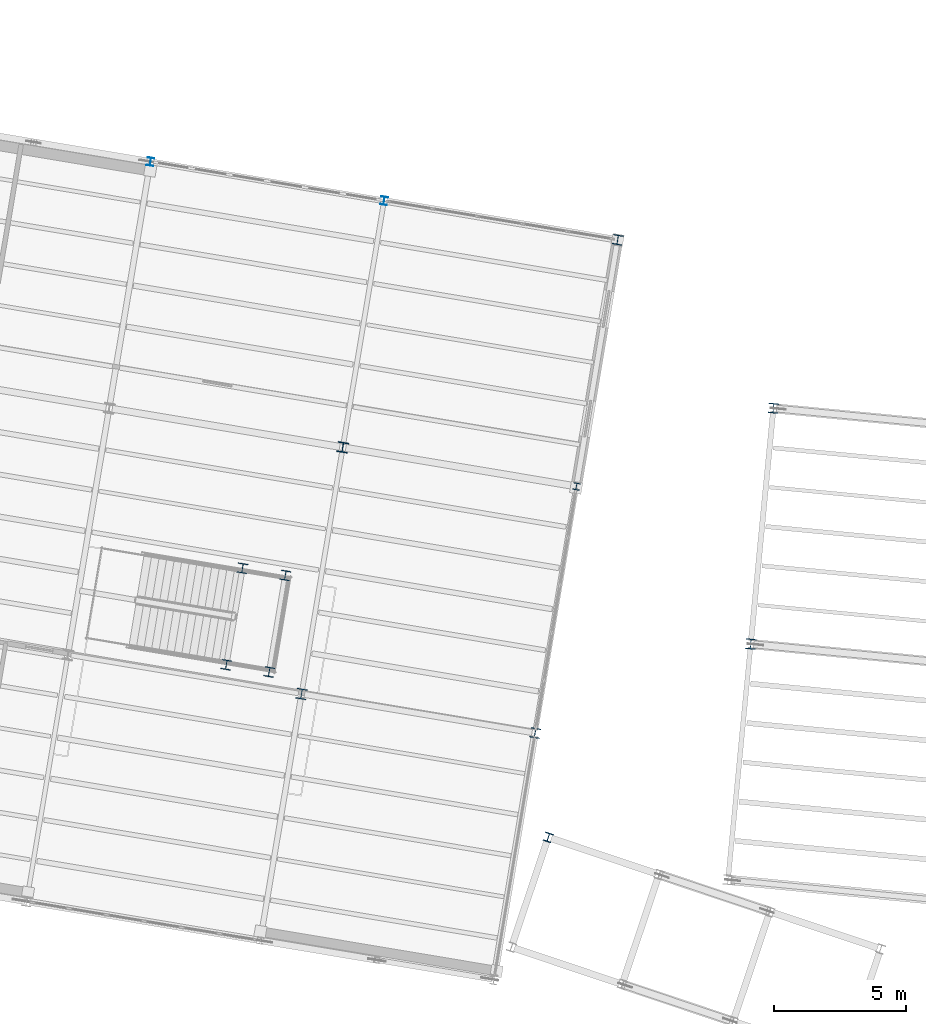
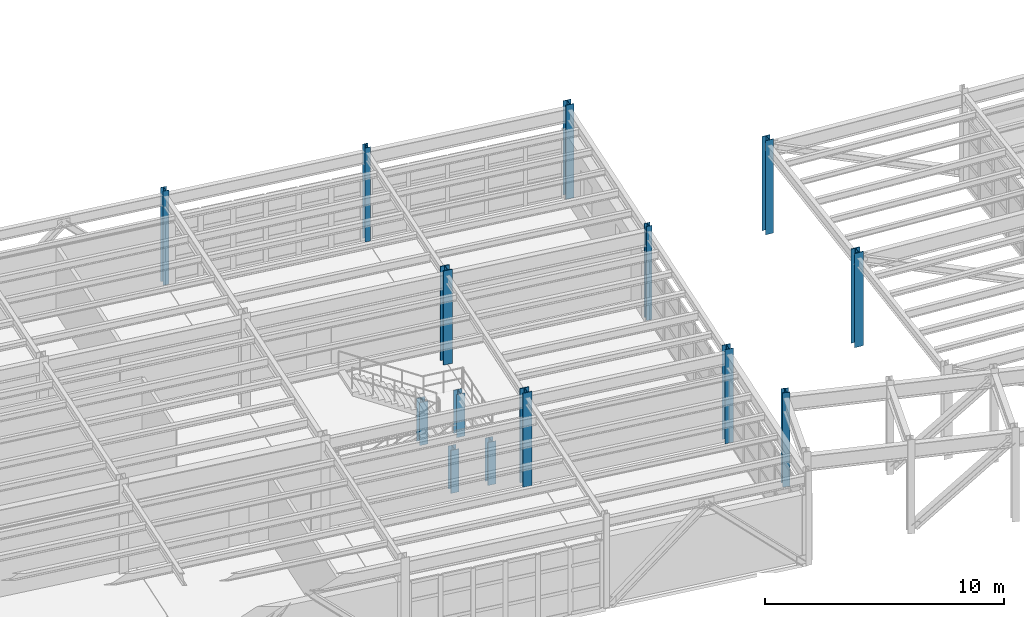
# One storey, part 13 of 109: 14 columns.
"""IFC4 building model written with IfcOpenShell, lengths in metres."""

from ifc_helpers import new_model, si_unit, direction, frame, origin, origin_2d, place, context, subcontext, project, spatial, i_section, extrude, material, material_profile, profile_set, type_object, element, save


model = new_model("IFC4")

# Units and contexts
model_context = context("Model", 3, precision=1e-05, world=origin(), true_north=direction((0.0, 1.0)))
body_context = subcontext(model_context, "Body", "Model", "MODEL_VIEW")
ifc_project = project(units=[si_unit("LENGTHUNIT", "METRE"), si_unit("AREAUNIT", "SQUARE_METRE"), si_unit("VOLUMEUNIT", "CUBIC_METRE"), si_unit("PLANEANGLEUNIT", "RADIAN"), si_unit("MASSUNIT", "GRAM", prefix="KILO")], contexts=[model_context])

# Site, building, storey
site_placement = place(None, origin())
site = spatial("IfcSite", under=ifc_project, at=site_placement, CompositionType="ELEMENT")
building_placement = place(site_placement, origin())
building = spatial("IfcBuilding", under=site, at=building_placement, Name="Vireo Bluff Cable Station", CompositionType="ELEMENT")
storey_placement = place(building_placement, frame((0.0, 0.0, 4.800048828125)))
storey = spatial("IfcBuildingStorey", under=building, at=storey_placement, Name="L01", CompositionType="ELEMENT", Elevation=4.800048828125)

# Columns
ifc_material = material(Name="Steel ASTM A992 Gr. 50", Category="steel")
ifc_material_profile_1 = material_profile(ifc_material, i_section(OverallWidth=0.39892578125, OverallDepth=0.385986328125, WebThickness=0.02099609375, FlangeThickness=0.033203125, FilletRadius=0.014892578125, at=origin_2d()), Name="W14X176")
ifc_profile_set_1 = profile_set([ifc_material_profile_1], Name="Steel ASTM A992 Gr. 50")
column_type_1 = type_object("IfcColumnType", Name="COL-W14X176", PredefinedType="COLUMN", material=ifc_profile_set_1)
column_1_placement = place(storey_placement, frame((44.14208984375, 84.297607421875, 0.0), z_axis=(0.0, 0.0, 1.0), x_axis=(0.986285601537, -0.165047605861, 0.0)))
element("IfcColumn", 1, at=column_1_placement, inside=storey, type_object=column_type_1, Name="V4 L01 column 313", PredefinedType="COLUMN", context=body_context, shape_type="SweptSolid", body=[
    extrude(i_section(OverallWidth=0.39892578125, OverallDepth=0.385986328125, WebThickness=0.02099609375, FlangeThickness=0.033203125, FilletRadius=0.014892578125, at=origin_2d()), origin(), (0.0, 0.0, 1.0), 4.800048828125),
])
ifc_material_profile_2 = material_profile(ifc_material, i_section(OverallWidth=0.40087890625, OverallDepth=0.39404296875, WebThickness=0.022705078125, FlangeThickness=0.03662109375, FilletRadius=0.014892578125, at=origin_2d()), Name="W14X193")
ifc_profile_set_2 = profile_set([ifc_material_profile_2], Name="Steel ASTM A992 Gr. 50")
column_type_2 = type_object("IfcColumnType", Name="COL-W14X193", PredefinedType="COLUMN", material=ifc_profile_set_2)
for number, where, z_axis, x_axis, name in (
    (2, (59.64208984375, 76.824951171875, 0.0), (0.0, 0.0, 1.0), (0.995396198367, -0.09584575252, 0.0), "V3 L01 column 198"),
    (3, (42.57421875, 74.927978515625, 0.0), (0.0, 0.0, 1.0), (0.986285601537, -0.165047605861, 0.0), "V4 L01 column 310"),
):
    element("IfcColumn", number, at=place(storey_placement, frame(where, z_axis=z_axis, x_axis=x_axis)), inside=storey, type_object=column_type_2, Name=name, PredefinedType="COLUMN", context=body_context, shape_type="SweptSolid", body=[
        extrude(i_section(OverallWidth=0.40087890625, OverallDepth=0.39404296875, WebThickness=0.022705078125, FlangeThickness=0.03662109375, FilletRadius=0.014892578125, at=origin_2d()), origin(), (0.0, 0.0, 1.0), 4.800048828125),
    ])
ifc_material_profile_3 = material_profile(ifc_material, i_section(OverallWidth=0.367919921875, OverallDepth=0.35595703125, WebThickness=0.01123046875, FlangeThickness=0.01806640625, FilletRadius=0.014892578125, at=origin_2d()), Name="W14X90")
ifc_profile_set_3 = profile_set([ifc_material_profile_3], Name="Steel ASTM A992 Gr. 50")
column_type_3 = type_object("IfcColumnType", Name="COL-W14X90", PredefinedType="COLUMN", material=ifc_profile_set_3)
for number, where, z_axis, x_axis, name in (
    (4, (39.7177734375, 76.03466796875, 0.0), (0.0, 0.0, 1.0), (0.986285601537, -0.165047605861, 0.0), "ST-08 L01 landing support column 1"),
    (5, (41.344970703125, 75.76220703125, 0.0), (0.0, 0.0, 1.0), (0.986285601537, -0.165047605861, 0.0), "ST-08 L01 landing support column 2"),
    (6, (40.331787109375, 79.70361328125, 0.0), (0.0, 0.0, 1.0), (0.986285601537, -0.165047605861, 0.0), "ST-08 L01 landing support column 3"),
    (7, (41.958984375, 79.431396484375, 0.0), (0.0, 0.0, 1.0), (0.986285601537, -0.165047605861, 0.0), "ST-08 L01 landing support column 4"),
):
    element("IfcColumn", number, at=place(storey_placement, frame(where, z_axis=z_axis, x_axis=x_axis)), inside=storey, type_object=column_type_3, Name=name, PredefinedType="COLUMN", context=body_context, shape_type="SweptSolid", body=[
        extrude(i_section(OverallWidth=0.367919921875, OverallDepth=0.35595703125, WebThickness=0.01123046875, FlangeThickness=0.01806640625, FilletRadius=0.014892578125, at=origin_2d()), origin(), (0.0, 0.0, 1.0), 2.199951171875),
    ])
ifc_material_profile_4 = material_profile(ifc_material, i_section(OverallWidth=0.31298828125, OverallDepth=0.3330078125, WebThickness=0.01806640625, FlangeThickness=0.028076171875, FilletRadius=0.012939453125, at=origin_2d()), Name="W12X120")
ifc_profile_set_4 = profile_set([ifc_material_profile_4], Name="Steel ASTM A992 Gr. 50")
column_type_4 = type_object("IfcColumnType", Name="ECOL-W12X120", PredefinedType="COLUMN", material=ifc_profile_set_4)
column_2_placement = place(storey_placement, frame((51.948974609375, 69.478515625, 0.0), z_axis=(0.0, 0.0, 1.0), x_axis=(0.948104710889, -0.317958263284, 0.0)))
element("IfcColumn", 8, at=column_2_placement, inside=storey, type_object=column_type_4, Name="CABIN-TRANSFER skybridge column 1R L01", PredefinedType="COLUMN", context=body_context, shape_type="SweptSolid", body=[
    extrude(i_section(OverallWidth=0.31298828125, OverallDepth=0.3330078125, WebThickness=0.01806640625, FlangeThickness=0.028076171875, FilletRadius=0.012939453125, at=origin_2d()), origin(), (0.0, 0.0, 1.0), 4.800048828125),
])
ifc_material_profile_5 = material_profile(ifc_material, i_section(OverallWidth=0.3701171875, OverallDepth=0.360107421875, WebThickness=0.01220703125, FlangeThickness=0.019775390625, FilletRadius=0.014892578125, at=origin_2d()), Name="W14X99")
ifc_profile_set_5 = profile_set([ifc_material_profile_5], Name="Steel ASTM A992 Gr. 50")
column_type_5 = type_object("IfcColumnType", Name="ECOL-W14X99", PredefinedType="COLUMN", material=ifc_profile_set_5)
for number, where, z_axis, x_axis, name in (
    (9, (60.504638671875, 85.78369140625, 0.0), (0.0, 0.0, 1.0), (0.995396198367, -0.09584575252, 0.0), "V3 L01 column 200"),
    (10, (51.45068359375, 73.442626953125, 0.0), (0.0, 0.0, 1.0), (0.986285601537, -0.165047605861, 0.0), "V4 L01 column 322"),
    (11, (54.586669921875, 92.181884765625, 0.0), (0.0, 0.0, 1.0), (0.986285601537, -0.165047605861, 0.0), "V4 L01 column 328"),
):
    element("IfcColumn", number, at=place(storey_placement, frame(where, z_axis=z_axis, x_axis=x_axis)), inside=storey, type_object=column_type_5, Name=name, PredefinedType="COLUMN", context=body_context, shape_type="SweptSolid", body=[
        extrude(i_section(OverallWidth=0.3701171875, OverallDepth=0.360107421875, WebThickness=0.01220703125, FlangeThickness=0.019775390625, FilletRadius=0.014892578125, at=origin_2d()), origin(), (0.0, 0.0, 1.0), 4.800048828125),
    ])
ifc_material_profile_6 = material_profile(ifc_material, i_section(OverallWidth=0.2548828125, OverallDepth=0.256103515625, WebThickness=0.009521484375, FlangeThickness=0.015625, FilletRadius=0.009033203125, at=origin_2d()), Name="W10X54")
ifc_profile_set_6 = profile_set([ifc_material_profile_6], Name="Steel ASTM A992 Gr. 50")
column_type_6 = type_object("IfcColumnType", Name="PIL-W10X54", PredefinedType="PILASTER", material=ifc_profile_set_6)
column_3_placement = place(storey_placement, frame((53.018798828125, 82.812255859375, 0.0), z_axis=(0.0, 0.0, 1.0), x_axis=(0.986285601537, -0.165047605861, 0.0)))
element("IfcColumn", 12, at=column_3_placement, inside=storey, type_object=column_type_6, Name="V4 L01 column 325", PredefinedType="PILASTER", context=body_context, shape_type="SweptSolid", body=[
    extrude(i_section(OverallWidth=0.2548828125, OverallDepth=0.256103515625, WebThickness=0.009521484375, FlangeThickness=0.015625, FilletRadius=0.009033203125, at=origin_2d()), origin(), (0.0, 0.0, 1.0), 4.800048828125),
])
ifc_material_profile_7 = material_profile(ifc_material, i_section(OverallWidth=0.25390625, OverallDepth=0.305908203125, WebThickness=0.0087890625, FlangeThickness=0.0146484375, FilletRadius=0.010986328125, at=origin_2d()), Name="W12X53")
ifc_profile_set_7 = profile_set([ifc_material_profile_7], Name="Steel ASTM A992 Gr. 50")
column_type_7 = type_object("IfcColumnType", Name="PIL-W12X53", PredefinedType="PILASTER", material=ifc_profile_set_7)
column_4_placement = place(storey_placement, frame((36.83349609375, 95.15283203125, 0.0), z_axis=(0.0, 0.0, 1.0), x_axis=(0.986285601537, -0.165047605861, 0.0)))
element("IfcColumn", 13, at=column_4_placement, inside=storey, type_object=column_type_7, Name="V4 L01 column 303", PredefinedType="PILASTER", context=body_context, shape_type="SweptSolid", body=[
    extrude(i_section(OverallWidth=0.25390625, OverallDepth=0.305908203125, WebThickness=0.0087890625, FlangeThickness=0.0146484375, FilletRadius=0.010986328125, at=origin_2d()), origin(), (0.0, 0.0, 1.0), 4.800048828125),
])
ifc_material_profile_8 = material_profile(ifc_material, i_section(OverallWidth=0.25390625, OverallDepth=0.31005859375, WebThickness=0.009033203125, FlangeThickness=0.016357421875, FilletRadius=0.010986328125, at=origin_2d()), Name="W12X58")
ifc_profile_set_8 = profile_set([ifc_material_profile_8], Name="Steel ASTM A992 Gr. 50")
column_type_8 = type_object("IfcColumnType", Name="PIL-W12X58", PredefinedType="PILASTER", material=ifc_profile_set_8)
column_5_placement = place(storey_placement, frame((45.710205078125, 93.66748046875, 0.0), z_axis=(0.0, 0.0, 1.0), x_axis=(0.986285601537, -0.165047605861, 0.0)))
element("IfcColumn", 14, at=column_5_placement, inside=storey, type_object=column_type_8, Name="V4 L01 column 316", PredefinedType="PILASTER", context=body_context, shape_type="SweptSolid", body=[
    extrude(i_section(OverallWidth=0.25390625, OverallDepth=0.31005859375, WebThickness=0.009033203125, FlangeThickness=0.016357421875, FilletRadius=0.010986328125, at=origin_2d()), origin(), (0.0, 0.0, 1.0), 4.800048828125),
])

save(model, "model.ifc")
